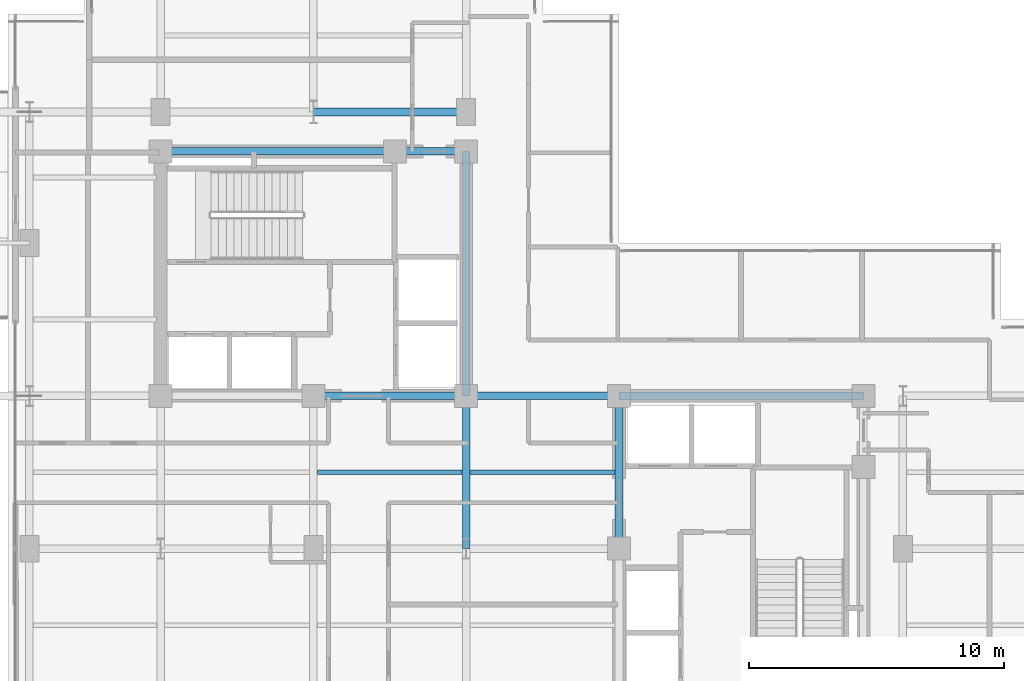
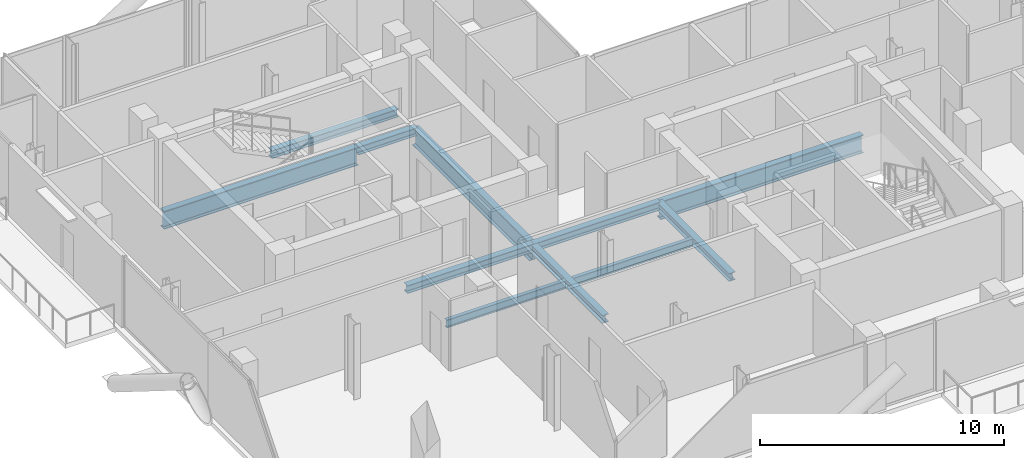
# One storey, part 9 of 25: 11 beams.
"""IFC4 building model written with IfcOpenShell, lengths in metres."""

from ifc_helpers import new_model, si_unit, direction, frame, origin, origin_2d, place, context, subcontext, project, spatial, i_section, extrude, material, material_profile, profile_set, type_object, element, save


model = new_model("IFC4")

# Units and contexts
model_context = context("Model", 3, precision=1e-05, world=origin(), true_north=direction((0.0, 1.0)))
body_context = subcontext(model_context, "Body", "Model", "MODEL_VIEW")
ifc_project = project(units=[si_unit("LENGTHUNIT", "METRE"), si_unit("AREAUNIT", "SQUARE_METRE"), si_unit("VOLUMEUNIT", "CUBIC_METRE"), si_unit("PLANEANGLEUNIT", "RADIAN"), si_unit("MASSUNIT", "GRAM", prefix="KILO"), si_unit("THERMODYNAMICTEMPERATUREUNIT", "KELVIN"), si_unit("POWERUNIT", "WATT")], contexts=[model_context])

# Site, building, storey
site_placement = place(None, origin())
site = spatial("IfcSite", under=ifc_project, at=site_placement, CompositionType="ELEMENT")
building_placement = place(site_placement, origin())
building = spatial("IfcBuilding", under=site, at=building_placement, Name="Svarakhadi Broadcast Tower", CompositionType="ELEMENT")
storey_placement = place(building_placement, frame((0.0, 0.0, 227.39990234375)))
storey = spatial("IfcBuildingStorey", under=building, at=storey_placement, Name="L56", CompositionType="ELEMENT", Elevation=227.39990234375)

# Beams
ifc_material_1 = material(Name="Steel S355J2 (IS 2062 E350C)", Category="steel")
ifc_material_profile_1 = material_profile(ifc_material_1, i_section(OverallWidth=0.179931640625, OverallDepth=0.39990234375, WebThickness=0.008544921875, FlangeThickness=0.013427734375, FilletRadius=0.02099609375, at=origin_2d()), Name="NPB 400x180x66")
ifc_profile_set_1 = profile_set([ifc_material_profile_1], Name="Steel S355J2 (IS 2062 E350C)")
beam_type_1 = type_object("IfcBeamType", Name="Beam_NPB400", PredefinedType="BEAM", material=ifc_profile_set_1)
for number, where, z_axis, x_axis, name in (
    (1, (12.159912109375, 15.0, -0.409912109375), (1.0, 0.0, 0.0), (0.0, 1.0, 0.0), "L56 Secondary Composite Beam SB011"),
    (2, (18.159912109375, 15.0, -0.409912109375), (1.0, 0.0, 0.0), (0.0, 1.0, 0.0), "L56 Secondary Composite Beam SB015"),
):
    element("IfcBeam", number, at=place(storey_placement, frame(where, z_axis=z_axis, x_axis=x_axis)), inside=storey, type_object=beam_type_1, Name=name, PredefinedType="BEAM", context=body_context, shape_type="SweptSolid", body=[
        extrude(i_section(OverallWidth=0.179931640625, OverallDepth=0.39990234375, WebThickness=0.008544921875, FlangeThickness=0.013427734375, FilletRadius=0.02099609375, at=origin_2d()), origin(), (0.0, 0.0, 1.0), 5.68017578125),
    ])
ifc_material_profile_2 = material_profile(ifc_material_1, i_section(OverallWidth=0.300048828125, OverallDepth=0.39990234375, WebThickness=0.013427734375, FlangeThickness=0.02392578125, FilletRadius=0.027099609375, at=origin_2d()), Name="WPB 400x300x155")
ifc_profile_set_2 = profile_set([ifc_material_profile_2], Name="Steel S355J2 (IS 2062 E350C)")
beam_type_2 = type_object("IfcBeamType", Name="Girder_WPB400", PredefinedType="USERDEFINED", material=ifc_profile_set_2)
for number, where, z_axis, x_axis, name in (
    (3, (12.0, 18.0, -0.409912109375), (1.0, 0.0, 0.0), (0.0, 1.0, 0.0), "L56 Primary E-W Girder G022"),
    (4, (18.0, 18.0, -0.409912109375), (1.0, 0.0, 0.0), (0.0, 1.0, 0.0), "L56 Primary E-W Girder G023"),
):
    element("IfcBeam", number, at=place(storey_placement, frame(where, z_axis=z_axis, x_axis=x_axis)), inside=storey, type_object=beam_type_2, Name=name, ObjectType="GIRDER", PredefinedType="USERDEFINED", context=body_context, shape_type="SweptSolid", body=[
        extrude(i_section(OverallWidth=0.300048828125, OverallDepth=0.39990234375, WebThickness=0.013427734375, FlangeThickness=0.02392578125, FilletRadius=0.027099609375, at=origin_2d()), origin(), (0.0, 0.0, 1.0), 6.0),
    ])
beam_1_placement = place(storey_placement, frame((15.199951171875, 27.60009765625, -0.409912109375), z_axis=(1.0, 0.0, 0.0), x_axis=(0.0, 1.0, 0.0)))
element("IfcBeam", 5, at=beam_1_placement, inside=storey, type_object=beam_type_2, Name="L56 Primary E-W Girder G027", ObjectType="GIRDER", PredefinedType="USERDEFINED", context=body_context, shape_type="SweptSolid", body=[
    extrude(i_section(OverallWidth=0.300048828125, OverallDepth=0.39990234375, WebThickness=0.013427734375, FlangeThickness=0.02392578125, FilletRadius=0.027099609375, at=origin_2d()), origin(), (0.0, 0.0, 1.0), 2.800048828125),
])
for number, where, z_axis, x_axis, name in (
    (6, (12.0, 29.14990234375, -0.409912109375), (1.0, 0.0, 0.0), (0.0, 1.0, 0.0), "L56 Primary E-W Girder G030"),
    (7, (18.0, 12.0, -0.409912109375), (0.0, 1.0, 0.0), (-1.0, 0.0, 0.0), "L56 Primary N-S Girder G048"),
    (8, (24.0, 12.0, -0.409912109375), (0.0, 1.0, 0.0), (-1.0, 0.0, 0.0), "L56 Primary N-S Girder G053"),
):
    element("IfcBeam", number, at=place(storey_placement, frame(where, z_axis=z_axis, x_axis=x_axis)), inside=storey, type_object=beam_type_2, Name=name, ObjectType="GIRDER", PredefinedType="USERDEFINED", context=body_context, shape_type="SweptSolid", body=[
        extrude(i_section(OverallWidth=0.300048828125, OverallDepth=0.39990234375, WebThickness=0.013427734375, FlangeThickness=0.02392578125, FilletRadius=0.027099609375, at=origin_2d()), origin(), (0.0, 0.0, 1.0), 6.0),
    ])
ifc_material_2 = material(Name="Steel S460ML (IS 2062 E450BR)", Category="steel")
ifc_material_profile_3 = material_profile(ifc_material_2, i_section(OverallWidth=0.300048828125, OverallDepth=0.89990234375, WebThickness=0.0185546875, FlangeThickness=0.034912109375, FilletRadius=0.030029296875, at=origin_2d()), Name="WPB 900x300x291")
ifc_profile_set_3 = profile_set([ifc_material_profile_3], Name="Steel S460ML (IS 2062 E450BR)")
beam_type_3 = type_object("IfcBeamType", Name="Girder_WPB900", PredefinedType="USERDEFINED", material=ifc_profile_set_3)
beam_2_placement = place(storey_placement, frame((24.0, 18.0, -0.659912109375), z_axis=(1.0, 0.0, 0.0), x_axis=(0.0, 1.0, 0.0)))
element("IfcBeam", 9, at=beam_2_placement, inside=storey, type_object=beam_type_3, Name="L56 Primary E-W Girder G024", ObjectType="GIRDER", PredefinedType="USERDEFINED", context=body_context, shape_type="SweptSolid", body=[
    extrude(i_section(OverallWidth=0.300048828125, OverallDepth=0.89990234375, WebThickness=0.0185546875, FlangeThickness=0.034912109375, FilletRadius=0.030029296875, at=origin_2d()), origin(), (0.0, 0.0, 1.0), 9.60009765625),
])
beam_3_placement = place(storey_placement, frame((6.0, 27.60009765625, -0.659912109375), z_axis=(1.0, 0.0, 0.0), x_axis=(0.0, 1.0, 0.0)))
element("IfcBeam", 10, at=beam_3_placement, inside=storey, type_object=beam_type_3, Name="L56 Primary E-W Girder G026", ObjectType="GIRDER", PredefinedType="USERDEFINED", context=body_context, shape_type="SweptSolid", body=[
    extrude(i_section(OverallWidth=0.300048828125, OverallDepth=0.89990234375, WebThickness=0.0185546875, FlangeThickness=0.034912109375, FilletRadius=0.030029296875, at=origin_2d()), origin(), (0.0, 0.0, 1.0), 9.199951171875),
])
beam_4_placement = place(storey_placement, frame((18.0, 18.0, -0.659912109375), z_axis=(0.0, 1.0, 0.0), x_axis=(-1.0, 0.0, 0.0)))
element("IfcBeam", 11, at=beam_4_placement, inside=storey, type_object=beam_type_3, Name="L56 Primary N-S Girder G049", ObjectType="GIRDER", PredefinedType="USERDEFINED", context=body_context, shape_type="SweptSolid", body=[
    extrude(i_section(OverallWidth=0.300048828125, OverallDepth=0.89990234375, WebThickness=0.0185546875, FlangeThickness=0.034912109375, FilletRadius=0.030029296875, at=origin_2d()), origin(), (0.0, 0.0, 1.0), 9.60009765625),
])

save(model, "model.ifc")
